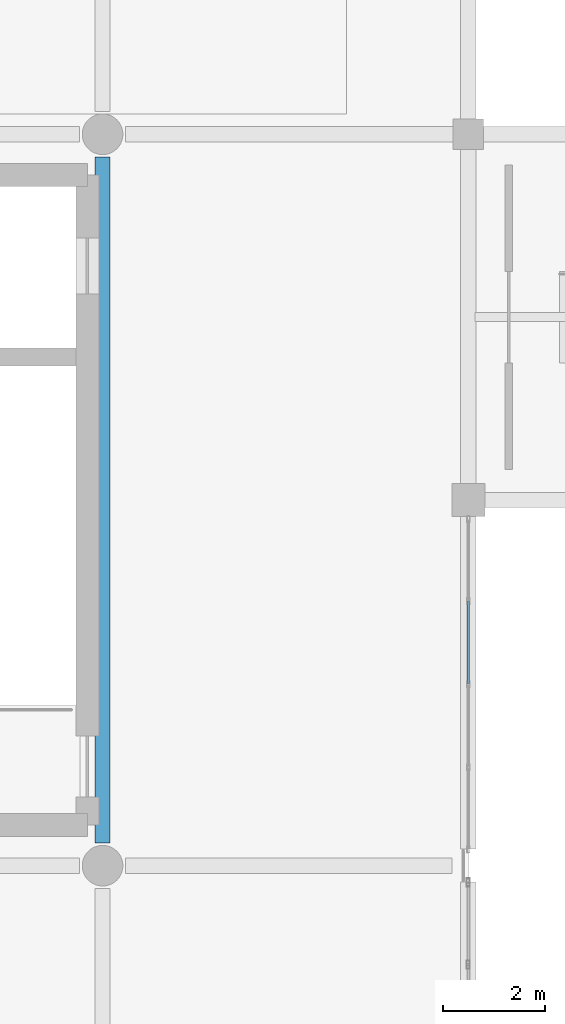
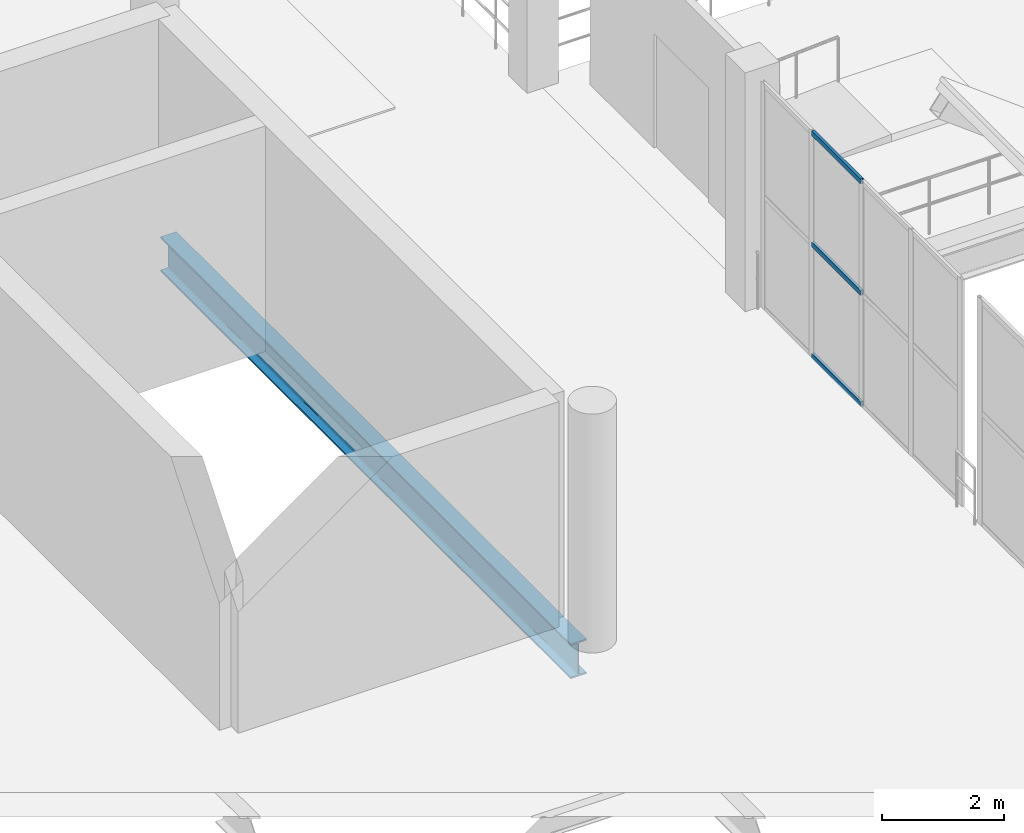
# One storey, part 31 of 105: 3 members, 1 beam, 1 element without a shape of its own.
"""IFC4 building model written with IfcOpenShell, lengths in metres."""

from ifc_helpers import new_model, si_unit, direction, frame, origin, origin_2d, place, context, subcontext, project, spatial, hollow_rectangle, i_section, extrude, material, material_profile, profile_set, type_object, element, aggregate, save


model = new_model("IFC4")

# Units and contexts
model_context = context("Model", 3, precision=1e-05, world=origin(), true_north=direction((0.0, 1.0)))
body_context = subcontext(model_context, "Body", "Model", "MODEL_VIEW")
ifc_project = project(units=[si_unit("LENGTHUNIT", "METRE"), si_unit("AREAUNIT", "SQUARE_METRE"), si_unit("VOLUMEUNIT", "CUBIC_METRE"), si_unit("PLANEANGLEUNIT", "RADIAN"), si_unit("MASSUNIT", "GRAM", prefix="KILO")], contexts=[model_context])

# Site, building, storey
site_placement = place(None, origin())
site = spatial("IfcSite", under=ifc_project, at=site_placement, CompositionType="ELEMENT")
building_placement = place(site_placement, origin())
building = spatial("IfcBuilding", under=site, at=building_placement, Name="Qandorah Velis Arena", CompositionType="ELEMENT")
storey_placement = place(building_placement, frame((0.0, 0.0, 13.800048828125)))
storey = spatial("IfcBuildingStorey", under=building, at=storey_placement, Name="L03", CompositionType="ELEMENT", Elevation=13.800048828125)

# Curtain wall, members
ifc_material_1 = material(Name="Solar-control low-E double glazing", Category="glass")
curtain_wall_type = type_object("IfcCurtainWallType", Name="ARC-CW-SYS04", PredefinedType="USERDEFINED", material=ifc_material_1)
curtain_wall_placement = place(storey_placement, origin())
curtain_wall = element("IfcCurtainWall", 1, at=curtain_wall_placement, inside=storey, type_object=curtain_wall_type, Name="Unitised curtain wall L03-172", ObjectType="UNITISED CURTAIN WALL", PredefinedType="USERDEFINED")
ifc_material_2 = material(Name="Champagne-bronze anodized aluminium 6063-T6", Category="aluminium")
ifc_material_profile_1 = material_profile(ifc_material_2, hollow_rectangle(XDim=0.054931640625, YDim=0.10009765625, WallThickness=0.0029296875, at=origin_2d()), Name="ALU TRANSOM 55x100")
ifc_profile_set_1 = profile_set([ifc_material_profile_1], Name="Champagne-bronze anodized aluminium 6063-T6")
member_type = type_object("IfcMemberType", Name="ARC-CWT-100", PredefinedType="USERDEFINED", material=ifc_profile_set_1)
member_1_placement = place(storey_placement, frame((122.39990234375, 39.590576171875, 0.02734375), z_axis=(0.0, 1.0, 0.0), x_axis=(-1.0, 0.0, 0.0)))
member_1 = element("IfcMember", 2, at=member_1_placement, type_object=member_type, Name="CW04 transom 3.1", ObjectType="TRANSOM", PredefinedType="USERDEFINED", context=body_context, shape_type="SweptSolid", body=[
    extrude(hollow_rectangle(XDim=0.054931640625, YDim=0.10009765625, WallThickness=0.0029296875, at=origin_2d()), origin(), (0.0, 0.0, 1.0), 1.6064453125),
])
member_2_placement = place(storey_placement, frame((122.39990234375, 39.590576171875, 2.264892578125), z_axis=(0.0, 1.0, 0.0), x_axis=(-1.0, 0.0, 0.0)))
member_2 = element("IfcMember", 3, at=member_2_placement, type_object=member_type, Name="CW04 transom 3.2", ObjectType="TRANSOM", PredefinedType="USERDEFINED", context=body_context, shape_type="SweptSolid", body=[
    extrude(hollow_rectangle(XDim=0.054931640625, YDim=0.10009765625, WallThickness=0.0029296875, at=origin_2d()), origin(), (0.0, 0.0, 1.0), 1.6064453125),
])
member_3_placement = place(storey_placement, frame((122.39990234375, 39.590576171875, 4.50244140625), z_axis=(0.0, 1.0, 0.0), x_axis=(-1.0, 0.0, 0.0)))
member_3 = element("IfcMember", 4, at=member_3_placement, type_object=member_type, Name="CW04 transom 3.3", ObjectType="TRANSOM", PredefinedType="USERDEFINED", context=body_context, shape_type="SweptSolid", body=[
    extrude(hollow_rectangle(XDim=0.054931640625, YDim=0.10009765625, WallThickness=0.0029296875, at=origin_2d()), origin(), (0.0, 0.0, 1.0), 1.6064453125),
])
aggregate(curtain_wall, [member_1, member_2, member_3])

# Beam
ifc_material_3 = material(Name="Steel S355", Category="steel")
ifc_material_profile_2 = material_profile(ifc_material_3, i_section(OverallWidth=0.300048828125, OverallDepth=0.699951171875, WebThickness=0.01708984375, FlangeThickness=0.031982421875, FilletRadius=0.027099609375, at=origin_2d()), Name="HEB 700")
ifc_profile_set_2 = profile_set([ifc_material_profile_2], Name="Steel S355")
beam_type = type_object("IfcBeamType", Name="STR-BM-HEB700", PredefinedType="BEAM", material=ifc_profile_set_2)
beam_placement = place(storey_placement, frame((115.199951171875, 36.449951171875, -0.670166015625), z_axis=(0.0, 1.0, 0.0), x_axis=(-1.0, 0.0, 0.0)))
element("IfcBeam", 5, at=beam_placement, inside=storey, type_object=beam_type, Name="Primary floor girder L03 Y-304", PredefinedType="BEAM", context=body_context, shape_type="SweptSolid", body=[
    extrude(i_section(OverallWidth=0.300048828125, OverallDepth=0.699951171875, WebThickness=0.01708984375, FlangeThickness=0.031982421875, FilletRadius=0.027099609375, at=origin_2d()), origin(), (0.0, 0.0, 1.0), 13.5),
])

save(model, "model.ifc")
